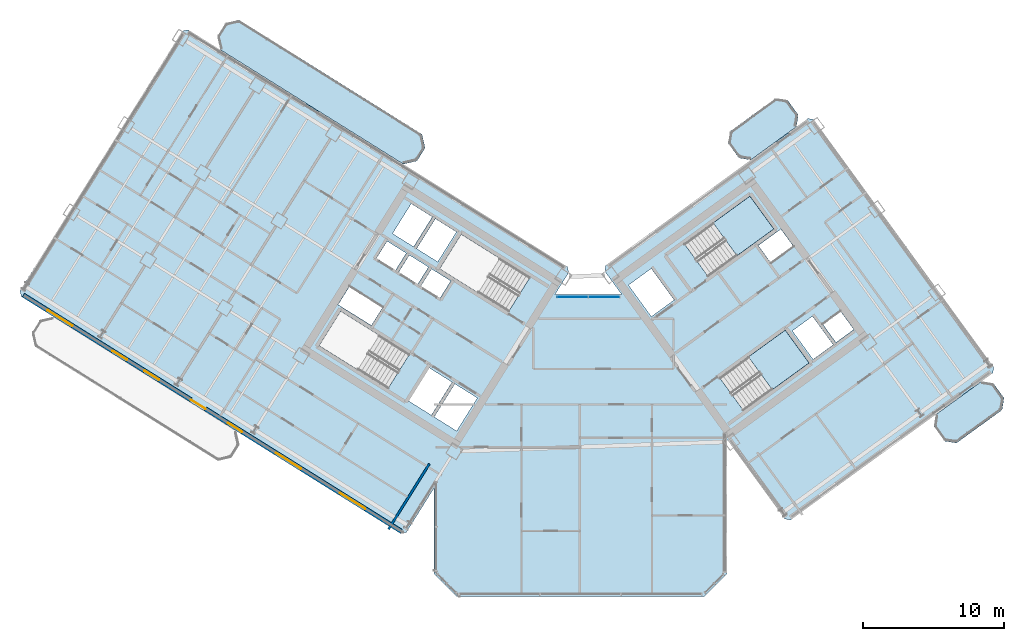
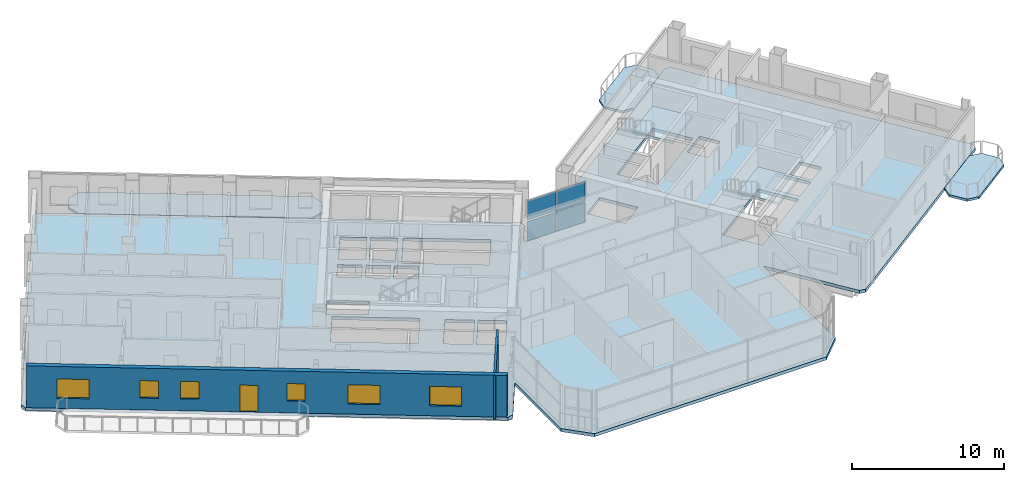
# One storey, part 15 of 29: 6 slabs, 6 windows, 4 plates, 2 walls, 1 door, 7 openings, 3 elements without a shape of their own.
"""IFC4 building model written with IfcOpenShell, lengths in metres."""

from ifc_helpers import new_model, si_unit, direction, frame, frame_2d, origin, origin_2d, place, context, subcontext, project, spatial, polyline, rectangle, outline, extrude, source, transform, mapped, material, layer, layer_set, type_object, element, fill, aggregate, save


model = new_model("IFC4")

# Units and contexts
model_context = context("Model", 3, precision=1e-05, world=origin(), true_north=direction((0.0, 1.0)))
body_context = subcontext(model_context, "Body", "Model", "MODEL_VIEW")
ifc_project = project(units=[si_unit("LENGTHUNIT", "METRE"), si_unit("AREAUNIT", "SQUARE_METRE"), si_unit("VOLUMEUNIT", "CUBIC_METRE"), si_unit("PLANEANGLEUNIT", "RADIAN"), si_unit("MASSUNIT", "GRAM", prefix="KILO")], contexts=[model_context])

# Site, building, storey
site_placement = place(None, origin())
site = spatial("IfcSite", under=ifc_project, at=site_placement, CompositionType="ELEMENT")
building_placement = place(site_placement, origin())
building = spatial("IfcBuilding", under=site, at=building_placement, Name="Tlacorven Tower", CompositionType="ELEMENT")
storey_placement = place(building_placement, frame((0.0, 0.0, 158.699951171875)))
storey = spatial("IfcBuildingStorey", under=building, at=storey_placement, Name="L40", CompositionType="ELEMENT", Elevation=158.699951171875)

# Slabs
ifc_material_1 = material(Name="Precast concrete C45/55", Category="concrete")
ifc_layer_1 = layer(ifc_material_1, 0.179931640625)
ifc_layer_set_1 = layer_set([ifc_layer_1], Name="Precast concrete C45/55")
slab_type_1 = type_object("IfcSlabType", Name="SL-BAL-180", PredefinedType="USERDEFINED", material=ifc_layer_set_1)
slab_1_placement = place(storey_placement, frame((0.0, 0.0, -0.179931640625)))
element("IfcSlab", 1, at=slab_1_placement, inside=storey, type_object=slab_type_1, Name="L40 West Wing Balcony Ribbon IN", ObjectType="BALCONY SLAB", PredefinedType="USERDEFINED", context=body_context, shape_type="SweptSolid", body=[
    extrude(outline(polyline([(30.756591796875, 34.57763671875), (17.781494140625, 42.685546875), (16.81689453125, 42.462890625), (16.236572265625, 41.5341796875), (16.459228515625, 40.569580078125), (29.434326171875, 32.4619140625), (30.39892578125, 32.6845703125), (30.979248046875, 33.613037109375), (30.756591796875, 34.57763671875)])), origin(), (0.0, 0.0, 1.0), 0.179931640625),
])
slab_2_placement = place(storey_placement, frame((0.0, 0.0, -0.179931640625)))
element("IfcSlab", 2, at=slab_2_placement, inside=storey, type_object=slab_type_1, Name="L40 East Wing Balcony Ribbon OUT", ObjectType="BALCONY SLAB", PredefinedType="USERDEFINED", context=body_context, shape_type="SweptSolid", body=[
    extrude(outline(polyline([(68.669921875, 12.678955078125), (71.906005859375, 15.0302734375), (72.03857421875, 15.8681640625), (71.27734375, 16.916015625), (70.439453125, 17.048583984375), (67.203369140625, 14.697509765625), (67.070556640625, 13.859375), (67.831787109375, 12.811767578125), (68.669921875, 12.678955078125)])), origin(), (0.0, 0.0, 1.0), 0.179931640625),
])
slab_3_placement = place(storey_placement, frame((0.0, 0.0, -0.179931640625)))
element("IfcSlab", 3, at=slab_3_placement, inside=storey, type_object=slab_type_1, Name="L40 East Wing Balcony Ribbon IN", ObjectType="BALCONY SLAB", PredefinedType="USERDEFINED", context=body_context, shape_type="SweptSolid", body=[
    extrude(outline(polyline([(54.078125, 32.762939453125), (57.314208984375, 35.114013671875), (57.44677734375, 35.9521484375), (56.685791015625, 36.999755859375), (55.84765625, 37.132568359375), (52.611572265625, 34.78125), (52.478759765625, 33.943359375), (53.239990234375, 32.8955078125), (54.078125, 32.762939453125)])), origin(), (0.0, 0.0, 1.0), 0.179931640625),
])

# Stair, slab
ifc_material_2 = material(Name="Concrete C40/50", Category="concrete")
stair_type = type_object("IfcStairType", Name="ST-CORE-DLG", PredefinedType="HALF_TURN_STAIR", material=ifc_material_2)
stair_1_placement = place(storey_placement, origin())
stair_1 = element("IfcStair", 4, at=stair_1_placement, inside=storey, type_object=stair_type, Name="L40 Protected Exit Stair East 1", PredefinedType="HALF_TURN_STAIR")
ifc_layer_2 = layer(ifc_material_2, 0.199951171875)
ifc_layer_set_2 = layer_set([ifc_layer_2], Name="Concrete C40/50")
slab_type_2 = type_object("IfcSlabType", Name="SL-LND-200", PredefinedType="LANDING", material=ifc_layer_set_2)
slab_4_placement = place(storey_placement, frame((0.0, 0.0, 1.60009765625)))
slab_4 = element("IfcSlab", 5, at=slab_4_placement, type_object=slab_type_2, Name="ST-E1 landing 1", PredefinedType="LANDING", context=body_context, shape_type="SweptSolid", body=[
    extrude(outline(polyline([(53.09765625, 25.962890625), (55.7109375, 27.861572265625), (54.01806640625, 30.19140625), (51.40478515625, 28.29296875), (53.09765625, 25.962890625)])), origin(), (0.0, 0.0, 1.0), 0.199951171875),
])
aggregate(stair_1, [slab_4])

stair_2_placement = place(storey_placement, origin())
stair_2 = element("IfcStair", 6, at=stair_2_placement, inside=storey, type_object=stair_type, Name="L40 Protected Exit Stair East 2", PredefinedType="HALF_TURN_STAIR")
slab_5_placement = place(storey_placement, frame((0.0, 0.0, 1.60009765625)))
slab_5 = element("IfcSlab", 7, at=slab_5_placement, type_object=slab_type_2, Name="ST-E2 landing 1", PredefinedType="LANDING", context=body_context, shape_type="SweptSolid", body=[
    extrude(outline(polyline([(55.601806640625, 16.4599609375), (58.21484375, 18.3583984375), (56.52197265625, 20.6884765625), (53.908935546875, 18.789794921875), (55.601806640625, 16.4599609375)])), origin(), (0.0, 0.0, 1.0), 0.199951171875),
])
aggregate(stair_2, [slab_5])

# Slab
ifc_layer_3 = layer(ifc_material_2, 0.25)
ifc_layer_set_3 = layer_set([ifc_layer_3], Name="Concrete C40/50")
slab_type_3 = type_object("IfcSlabType", Name="SL-TWR-250", PredefinedType="FLOOR", material=ifc_layer_set_3)
slab_6_placement = place(storey_placement, frame((0.0, 0.0, -0.25)))
element("IfcSlab", 8, at=slab_6_placement, inside=storey, type_object=slab_type_3, Name="L40 Boomerang Tower Floor Slab", PredefinedType="FLOOR", context=body_context, shape_type="SweptSolid", body=[
    extrude(outline(polyline([(52.39990234375, 3.39990234375), (50.800048828125, 1.800048828125), (33.199951171875, 1.800048828125), (31.60009765625, 3.39990234375), (31.60009765625, 9.470703125), (29.652587890625, 6.35400390625), (29.2392578125, 6.258544921875), (2.339111328125, 23.067626953125), (2.24365234375, 23.481201171875), (13.75341796875, 41.900634765625), (14.1669921875, 41.99609375), (41.06689453125, 25.18701171875), (41.162353515625, 24.773681640625), (40.178955078125, 23.199951171875), (44.932373046875, 23.199951171875), (43.723876953125, 24.86328125), (43.790283203125, 25.2822265625), (58.1259765625, 35.69775390625), (58.545166015625, 35.63134765625), (71.311767578125, 18.0595703125), (71.245361328125, 17.640380859375), (56.90966796875, 7.224853515625), (56.49072265625, 7.291259765625), (52.39990234375, 12.921630859375), (52.39990234375, 3.39990234375)]), holes=[polyline([(29.865478515625, 18.979736328125), (24.9892578125, 22.02685546875), (23.463134765625, 19.58447265625), (28.33935546875, 16.537353515625), (29.865478515625, 18.979736328125)]), polyline([(38.4169921875, 24.4375), (33.540771484375, 27.484375), (32.0146484375, 25.0419921875), (36.890869140625, 21.9951171875), (38.4169921875, 24.4375)]), polyline([(51.05908203125, 24.481689453125), (55.7109375, 27.861572265625), (54.01806640625, 30.19140625), (49.3662109375, 26.811767578125), (51.05908203125, 24.481689453125)]), polyline([(53.56298828125, 14.978759765625), (58.21484375, 18.3583984375), (56.52197265625, 20.6884765625), (51.8701171875, 17.30859375), (53.56298828125, 14.978759765625)]), polyline([(34.682373046875, 15.87548828125), (33.088134765625, 16.871826171875), (31.62548828125, 14.531005859375), (33.2197265625, 13.534912109375), (34.682373046875, 15.87548828125)]), polyline([(32.884521484375, 16.9990234375), (31.2392578125, 18.02685546875), (29.77685546875, 15.686279296875), (31.421875, 14.658203125), (32.884521484375, 16.9990234375)]), polyline([(47.0234375, 21.648681640625), (48.6416015625, 22.82421875), (47.019287109375, 25.05712890625), (45.401123046875, 23.881591796875), (47.0234375, 21.648681640625)]), polyline([(33.197265625, 27.65185546875), (31.704833984375, 28.58447265625), (30.3798828125, 26.46435546875), (31.87255859375, 25.53173828125), (33.197265625, 27.65185546875)]), polyline([(31.484375, 28.722412109375), (29.99169921875, 29.655029296875), (28.6669921875, 27.534912109375), (30.159423828125, 26.602294921875), (31.484375, 28.722412109375)]), polyline([(32.794921875, 24.17724609375), (31.43798828125, 25.025146484375), (30.685546875, 23.82080078125), (32.042236328125, 22.972900390625), (32.794921875, 24.17724609375)]), polyline([(31.217529296875, 25.162841796875), (29.860595703125, 26.0107421875), (29.108154296875, 24.806396484375), (30.465087890625, 23.958740234375), (31.217529296875, 25.162841796875)]), polyline([(29.64013671875, 26.1484375), (28.283203125, 26.996337890625), (27.53076171875, 25.792236328125), (28.8876953125, 24.9443359375), (29.64013671875, 26.1484375)]), polyline([(58.498779296875, 18.614013671875), (59.922607421875, 19.648681640625), (58.453125, 21.671142578125), (57.029296875, 20.63671875), (58.498779296875, 18.614013671875)]), polyline([(27.96142578125, 22.2919921875), (25.603759765625, 23.76513671875), (24.80908203125, 22.4931640625), (27.16650390625, 21.02001953125), (27.96142578125, 22.2919921875)]), polyline([(55.490478515625, 25.4765625), (57.092529296875, 26.640380859375), (56.210693359375, 27.85400390625), (54.60888671875, 26.690185546875), (55.490478515625, 25.4765625)]), polyline([(60.12109375, 19.817626953125), (61.38330078125, 20.734619140625), (60.45458984375, 22.012939453125), (59.192626953125, 21.095947265625), (60.12109375, 19.817626953125)])]), origin(), (0.0, 0.0, 1.0), 0.25),
])

# Curtain wall, plates
ifc_material_3 = material(Name="Dark solar low-E double glazing in aluminium frame", Category="aluminium")
curtain_wall_type = type_object("IfcCurtainWallType", Name="CW-TWR-MID", PredefinedType="USERDEFINED", material=ifc_material_3)
curtain_wall_placement = place(storey_placement, origin())
curtain_wall = element("IfcCurtainWall", 9, at=curtain_wall_placement, inside=storey, type_object=curtain_wall_type, Name="L40 CW-TWR-MID Curtain Wall 183", ObjectType="UNITISED CURTAIN WALL", PredefinedType="USERDEFINED")
ifc_material_4 = material(Name="High-wind dark solar tempered low-E glazing", Category="glass")
ifc_layer_4 = layer(ifc_material_4, 0.028076171875)
ifc_layer_set_4 = layer_set([ifc_layer_4], Name="High-wind dark solar tempered low-E glazing")
plate_type = type_object("IfcPlateType", Name="CWP-03", PredefinedType="CURTAIN_PANEL", material=ifc_layer_set_4)
shared_shape_1 = source(origin(), body_context, "Body", "SweptSolid", [
    extrude(rectangle(XDim=2.178466796875, YDim=0.028076171875, at=origin_2d()), origin(), (0.0, 0.0, 1.0), 1.552978515625),
])
plate_1_placement = place(storey_placement, frame((41.447998046875, 23.0400390625, 0.06103515625), z_axis=(0.0, 0.0, 1.0), x_axis=(1.0, 0.0, 0.0)))
plate_1 = element("IfcPlate", 10, at=plate_1_placement, type_object=plate_type, Name="CW-L40-183 Glazing Panel 1", PredefinedType="CURTAIN_PANEL", context=body_context, shape_type="MappedRepresentation", body=[
    mapped(shared_shape_1, transform((0.0, 0.0, 0.0), scale=1.0)),
])
plate_2_placement = place(storey_placement, frame((41.447998046875, 23.0400390625, 1.73583984375), z_axis=(0.0, 0.0, 1.0), x_axis=(1.0, 0.0, 0.0)))
plate_2 = element("IfcPlate", 11, at=plate_2_placement, type_object=plate_type, Name="CW-L40-183 Glazing Panel 2", PredefinedType="CURTAIN_PANEL", context=body_context, shape_type="MappedRepresentation", body=[
    mapped(shared_shape_1, transform((0.0, 0.0, 0.0), scale=1.0)),
])
plate_3_placement = place(storey_placement, frame((43.673583984375, 23.0400390625, 0.06103515625), z_axis=(0.0, 0.0, 1.0), x_axis=(1.0, 0.0, 0.0)))
plate_3 = element("IfcPlate", 12, at=plate_3_placement, type_object=plate_type, Name="CW-L40-183 Glazing Panel 3", PredefinedType="CURTAIN_PANEL", context=body_context, shape_type="MappedRepresentation", body=[
    mapped(shared_shape_1, transform((0.0, 0.0, 0.0), scale=1.0)),
])
plate_4_placement = place(storey_placement, frame((43.673583984375, 23.0400390625, 1.73583984375), z_axis=(0.0, 0.0, 1.0), x_axis=(1.0, 0.0, 0.0)))
plate_4 = element("IfcPlate", 13, at=plate_4_placement, type_object=plate_type, Name="CW-L40-183 Glazing Panel 4", PredefinedType="CURTAIN_PANEL", context=body_context, shape_type="MappedRepresentation", body=[
    mapped(shared_shape_1, transform((0.0, 0.0, 0.0), scale=1.0)),
])
aggregate(curtain_wall, [plate_1, plate_2, plate_3, plate_4])

# Wall
ifc_material_5 = material(Name="Gypsum plasterboard acoustic partition", Category="gypsum")
ifc_layer_5 = layer(ifc_material_5, 0.159912109375)
ifc_layer_set_5 = layer_set([ifc_layer_5], Name="Gypsum plasterboard acoustic partition")
wall_type_1 = type_object("IfcWallType", Name="WL-DEM-160", PredefinedType="PARTITIONING", material=ifc_layer_set_5)
wall_1_placement = place(storey_placement, frame((31.282470703125, 11.2080078125, 0.0), z_axis=(0.0, 0.0, 1.0), x_axis=(-0.529938869374, -0.84803584519, 0.0)))
element("IfcWall", 14, at=wall_1_placement, inside=storey, type_object=wall_type_1, Name="L40 WC West Throat Wall", PredefinedType="PARTITIONING", context=body_context, shape_type="SweptSolid", body=[
    extrude(rectangle(XDim=5.47998046875, YDim=0.159912109375, at=frame_2d((2.739990234375, 0.0))), origin(), (0.0, 0.0, 1.0), 3.340087890625),
])

# Wall, openings, door, windows
ifc_layer_6 = layer(ifc_material_1, 0.320068359375)
ifc_layer_set_6 = layer_set([ifc_layer_6], Name="Precast concrete C45/55")
wall_type_2 = type_object("IfcWallType", Name="WL-EXT-320", PredefinedType="STANDARD", material=ifc_layer_set_6)
wall_2_placement = place(storey_placement, frame((29.267822265625, 6.429443359375, 0.0), z_axis=(0.0, 0.0, 1.0), x_axis=(-0.848049971435, 0.529916263149, 0.0)))
wall_2 = element("IfcWall", 15, at=wall_2_placement, inside=storey, type_object=wall_type_2, Name="L40 Masonry-Frame Recessed Facade Wall 1", PredefinedType="STANDARD", context=body_context, shape_type="SweptSolid", body=[
    extrude(rectangle(XDim=31.587646484375, YDim=0.320068359375, at=frame_2d((15.7939453125, 0.0))), origin(), (0.0, 0.0, 1.0), 3.35009765625),
])
opening_1_placement = place(wall_2_placement, frame((16.36181640625, 0.0, 0.0)))
opening_1 = element("IfcOpeningElement", 16, at=opening_1_placement, cuts=wall_2, Name="Opening D05", PredefinedType="OPENING", context=body_context, shape_type="SweptSolid", body=[
    extrude(rectangle(XDim=1.199951171875, YDim=2.14990234375, at=frame_2d((0.60009765625, 1.074951171875))), frame((0.0, 0.169921875, 0.0), z_axis=(0.0, -1.0, 0.0), x_axis=(1.0, 0.0, 0.0)), (0.0, 0.0, 1.0), 0.340087890625),
])
opening_2_placement = place(wall_2_placement, frame((2.98876953125, 0.0, 0.800048828125)))
opening_2 = element("IfcOpeningElement", 17, at=opening_2_placement, cuts=wall_2, Name="Opening WN04", PredefinedType="OPENING", context=body_context, shape_type="SweptSolid", body=[
    extrude(rectangle(XDim=2.10009765625, YDim=1.550048828125, at=frame_2d((1.050048828125, 0.77490234375))), frame((0.0, 0.169921875, 0.0), z_axis=(0.0, -1.0, 0.0), x_axis=(1.0, 0.0, 0.0)), (0.0, 0.0, 1.0), 0.340087890625),
])
opening_3_placement = place(wall_2_placement, frame((8.358642578125, 0.0, 0.800048828125)))
opening_3 = element("IfcOpeningElement", 18, at=opening_3_placement, cuts=wall_2, Name="Opening WN04", PredefinedType="OPENING", context=body_context, shape_type="SweptSolid", body=[
    extrude(rectangle(XDim=2.10009765625, YDim=1.550048828125, at=frame_2d((1.050048828125, 0.77490234375))), frame((0.0, 0.169921875, 0.0), z_axis=(0.0, -1.0, 0.0), x_axis=(1.0, 0.0, 0.0)), (0.0, 0.0, 1.0), 0.340087890625),
])
opening_4_placement = place(wall_2_placement, frame((13.28369140625, 0.0, 0.949951171875)))
opening_4 = element("IfcOpeningElement", 19, at=opening_4_placement, cuts=wall_2, Name="Opening WN03", PredefinedType="OPENING", context=body_context, shape_type="SweptSolid", body=[
    extrude(rectangle(XDim=1.199951171875, YDim=1.39990234375, at=frame_2d((0.60009765625, 0.699951171875))), frame((0.0, 0.169921875, 0.0), z_axis=(0.0, -1.0, 0.0), x_axis=(1.0, 0.0, 0.0)), (0.0, 0.0, 1.0), 0.340087890625),
])
opening_5_placement = place(wall_2_placement, frame((20.2587890625, 0.0, 0.949951171875)))
opening_5 = element("IfcOpeningElement", 20, at=opening_5_placement, cuts=wall_2, Name="Opening WN03", PredefinedType="OPENING", context=body_context, shape_type="SweptSolid", body=[
    extrude(rectangle(XDim=1.199951171875, YDim=1.39990234375, at=frame_2d((0.60009765625, 0.699951171875))), frame((0.0, 0.169921875, 0.0), z_axis=(0.0, -1.0, 0.0), x_axis=(1.0, 0.0, 0.0)), (0.0, 0.0, 1.0), 0.340087890625),
])
opening_6_placement = place(wall_2_placement, frame((22.9287109375, 0.0, 0.949951171875)))
opening_6 = element("IfcOpeningElement", 21, at=opening_6_placement, cuts=wall_2, Name="Opening WN03", PredefinedType="OPENING", context=body_context, shape_type="SweptSolid", body=[
    extrude(rectangle(XDim=1.199951171875, YDim=1.39990234375, at=frame_2d((0.60009765625, 0.699951171875))), frame((0.0, 0.169921875, 0.0), z_axis=(0.0, -1.0, 0.0), x_axis=(1.0, 0.0, 0.0)), (0.0, 0.0, 1.0), 0.340087890625),
])
opening_7_placement = place(wall_2_placement, frame((27.480712890625, 0.0, 0.800048828125)))
opening_7 = element("IfcOpeningElement", 22, at=opening_7_placement, cuts=wall_2, Name="Opening WN04", PredefinedType="OPENING", context=body_context, shape_type="SweptSolid", body=[
    extrude(rectangle(XDim=2.10009765625, YDim=1.550048828125, at=frame_2d((1.050048828125, 0.77490234375))), frame((0.0, 0.169921875, 0.0), z_axis=(0.0, -1.0, 0.0), x_axis=(1.0, 0.0, 0.0)), (0.0, 0.0, 1.0), 0.340087890625),
])
ifc_material_6 = material(Name="Powder-coated aluminium and timber door", Category="wood")
door_type = type_object("IfcDoorType", Name="DR-EXT-BALC-1200", OperationType="NOTDEFINED", PredefinedType="DOOR", material=ifc_material_6)
shared_shape_2 = source(origin(), body_context, "Body", "SweptSolid", [
    extrude(rectangle(XDim=1.199951171875, YDim=2.14990234375, at=frame_2d((0.60009765625, 1.074951171875))), frame((0.0, 0.02490234375, 0.0), z_axis=(0.0, -1.0, 0.0), x_axis=(1.0, 0.0, 0.0)), (0.0, 0.0, 1.0), 0.050048828125),
])
door_placement = place(opening_1_placement, origin())
door = element("IfcDoor", 23, at=door_placement, inside=storey, type_object=door_type, Name="L40 Outdoor Access Door BAL-L40-W-OUT", OperationType="SINGLE_SWING_LEFT", OverallHeight=2.14990234375, OverallWidth=1.199951171875, PredefinedType="DOOR", context=body_context, shape_type="MappedRepresentation", body=[
    mapped(shared_shape_2, transform((0.0, 0.0, 0.0), scale=1.0)),
])
fill(opening_1, door)
ifc_material_7 = material(Name="Dark solar low-E double glazing in anodised aluminium frame", Category="aluminium")
window_type_1 = type_object("IfcWindowType", Name="WN-APT-2100X1750", PartitioningType="SINGLE_PANEL", PredefinedType="WINDOW", material=ifc_material_7)
shared_shape_3 = source(origin(), body_context, "Body", "SweptSolid", [
    extrude(rectangle(XDim=2.10009765625, YDim=1.550048828125, at=frame_2d((1.050048828125, 0.77490234375))), frame((0.0, 0.030029296875, 0.0), z_axis=(0.0, -1.0, 0.0), x_axis=(1.0, 0.0, 0.0)), (0.0, 0.0, 1.0), 0.06005859375),
])
window_1_placement = place(opening_2_placement, origin())
window_1 = element("IfcWindow", 24, at=window_1_placement, inside=storey, type_object=window_type_1, Name="L40 Recessed Masonry-Frame Window L40-01.1", OverallHeight=1.550048828125, OverallWidth=2.10009765625, PartitioningType="SINGLE_PANEL", PredefinedType="WINDOW", context=body_context, shape_type="MappedRepresentation", body=[
    mapped(shared_shape_3, transform((0.0, 0.0, 0.0), scale=1.0)),
])
fill(opening_2, window_1)
window_2_placement = place(opening_3_placement, origin())
window_2 = element("IfcWindow", 25, at=window_2_placement, inside=storey, type_object=window_type_1, Name="L40 Recessed Masonry-Frame Window L40-01.2", OverallHeight=1.550048828125, OverallWidth=2.10009765625, PartitioningType="SINGLE_PANEL", PredefinedType="WINDOW", context=body_context, shape_type="MappedRepresentation", body=[
    mapped(shared_shape_3, transform((0.0, 0.0, 0.0), scale=1.0)),
])
fill(opening_3, window_2)
window_3_placement = place(opening_7_placement, origin())
window_3 = element("IfcWindow", 26, at=window_3_placement, inside=storey, type_object=window_type_1, Name="L40 Recessed Masonry-Frame Window L40-01.6", OverallHeight=1.550048828125, OverallWidth=2.10009765625, PartitioningType="SINGLE_PANEL", PredefinedType="WINDOW", context=body_context, shape_type="MappedRepresentation", body=[
    mapped(shared_shape_3, transform((0.0, 0.0, 0.0), scale=1.0)),
])
fill(opening_7, window_3)
window_type_2 = type_object("IfcWindowType", Name="WN-APT-1200X1500", PartitioningType="SINGLE_PANEL", PredefinedType="WINDOW", material=ifc_material_7)
shared_shape_4 = source(origin(), body_context, "Body", "SweptSolid", [
    extrude(rectangle(XDim=1.199951171875, YDim=1.39990234375, at=frame_2d((0.60009765625, 0.699951171875))), frame((0.0, 0.030029296875, 0.0), z_axis=(0.0, -1.0, 0.0), x_axis=(1.0, 0.0, 0.0)), (0.0, 0.0, 1.0), 0.06005859375),
])
window_4_placement = place(opening_4_placement, origin())
window_4 = element("IfcWindow", 27, at=window_4_placement, inside=storey, type_object=window_type_2, Name="L40 Recessed Masonry-Frame Window L40-01.3", OverallHeight=1.39990234375, OverallWidth=1.199951171875, PartitioningType="SINGLE_PANEL", PredefinedType="WINDOW", context=body_context, shape_type="MappedRepresentation", body=[
    mapped(shared_shape_4, transform((0.0, 0.0, 0.0), scale=1.0)),
])
fill(opening_4, window_4)
window_5_placement = place(opening_5_placement, origin())
window_5 = element("IfcWindow", 28, at=window_5_placement, inside=storey, type_object=window_type_2, Name="L40 Recessed Masonry-Frame Window L40-01.4", OverallHeight=1.39990234375, OverallWidth=1.199951171875, PartitioningType="SINGLE_PANEL", PredefinedType="WINDOW", context=body_context, shape_type="MappedRepresentation", body=[
    mapped(shared_shape_4, transform((0.0, 0.0, 0.0), scale=1.0)),
])
fill(opening_5, window_5)
window_6_placement = place(opening_6_placement, origin())
window_6 = element("IfcWindow", 29, at=window_6_placement, inside=storey, type_object=window_type_2, Name="L40 Recessed Masonry-Frame Window L40-01.5", OverallHeight=1.39990234375, OverallWidth=1.199951171875, PartitioningType="SINGLE_PANEL", PredefinedType="WINDOW", context=body_context, shape_type="MappedRepresentation", body=[
    mapped(shared_shape_4, transform((0.0, 0.0, 0.0), scale=1.0)),
])
fill(opening_6, window_6)

save(model, "model.ifc")
